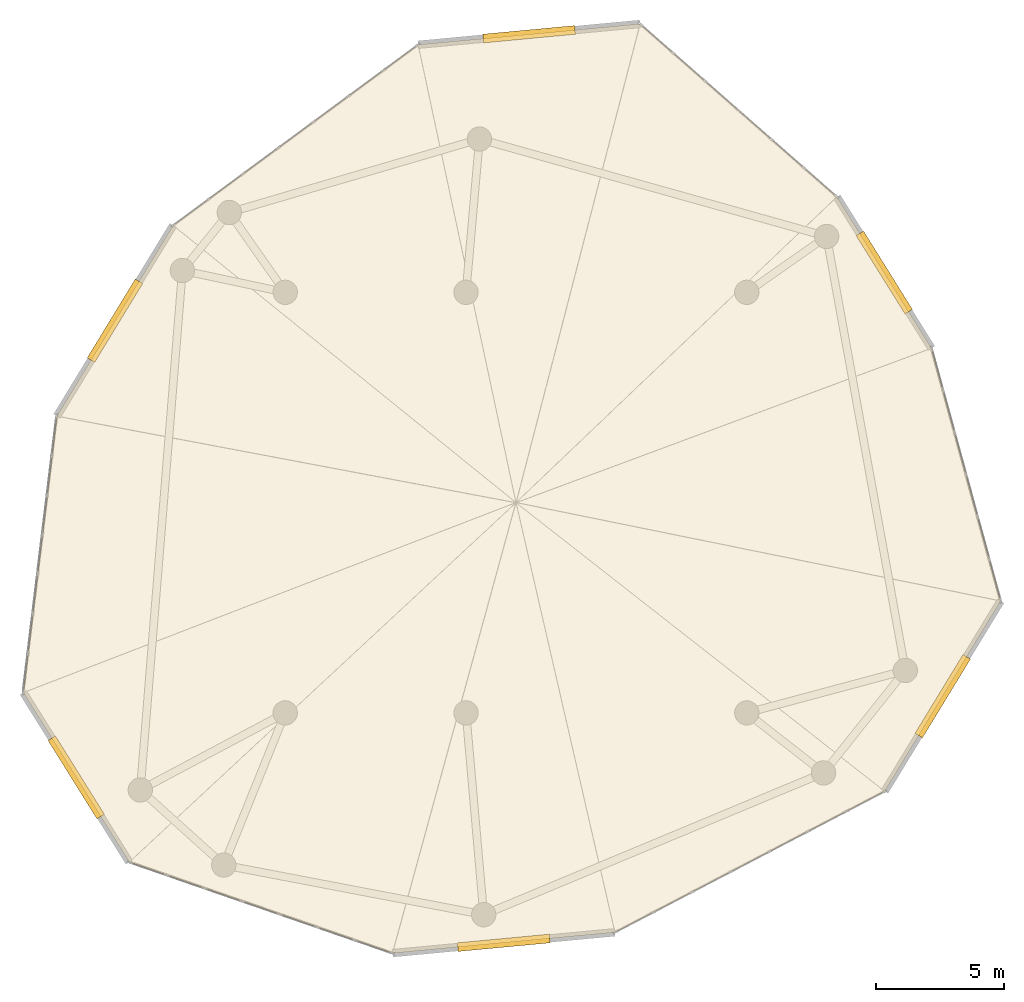
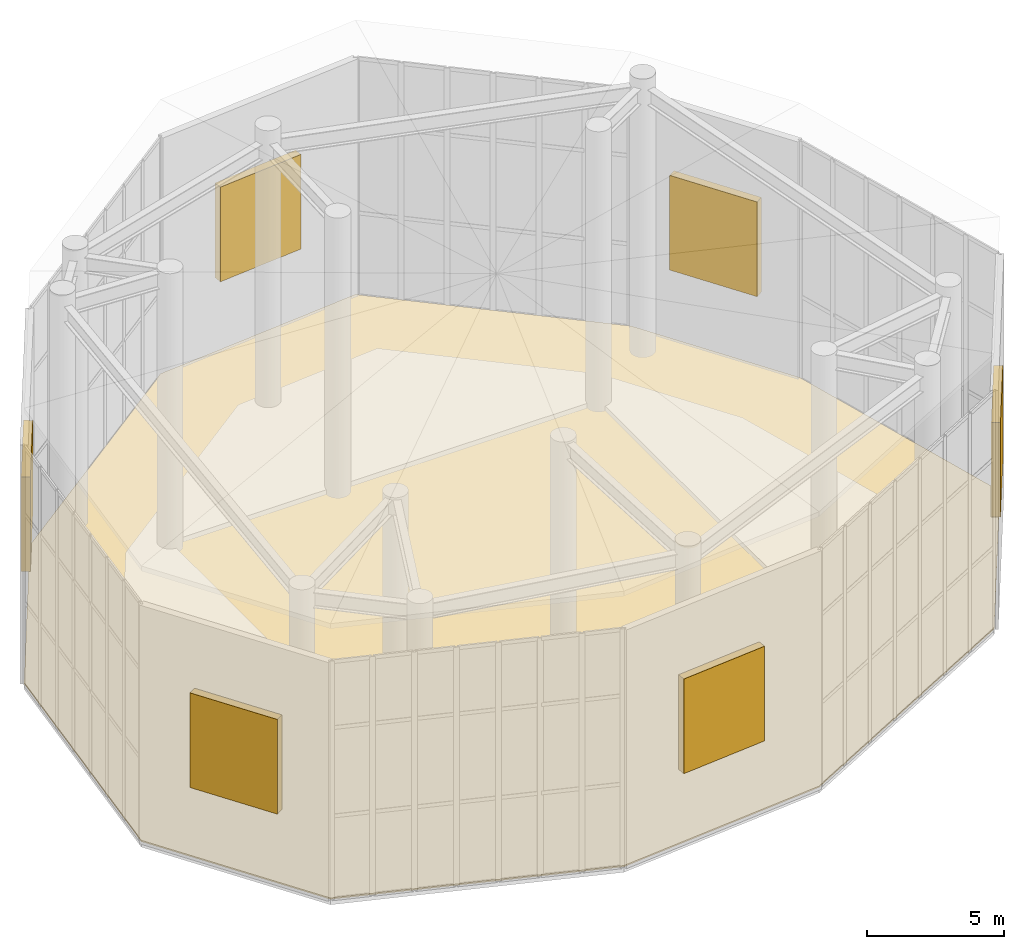
# One storey, part 8 of 8: 6 shading devices, 1 covering.
"""IFC4 building model written with IfcOpenShell, lengths in metres."""

from ifc_helpers import new_model, si_unit, direction, frame, origin, origin_with_axes, origin_2d, place, context, subcontext, project, spatial, polyline, rectangle, outline, extrude, source, transform, mapped, material, layer, layer_set, type_object, element, save


model = new_model("IFC4")

# Units and contexts
model_context = context("Model", 3, precision=1e-05, world=origin(), true_north=direction((0.0, 1.0)))
body_context = subcontext(model_context, "Body", "Model", "MODEL_VIEW")
ifc_project = project(units=[si_unit("LENGTHUNIT", "METRE"), si_unit("AREAUNIT", "SQUARE_METRE"), si_unit("VOLUMEUNIT", "CUBIC_METRE"), si_unit("PLANEANGLEUNIT", "RADIAN"), si_unit("MASSUNIT", "GRAM", prefix="KILO")], contexts=[model_context])

# Site, building, storey
site_placement = place(None, origin())
site = spatial("IfcSite", under=ifc_project, at=site_placement, CompositionType="ELEMENT")
building_placement = place(site_placement, origin())
building = spatial("IfcBuilding", under=site, at=building_placement, Name="Karkom Vertical University and Central Library", CompositionType="ELEMENT")
storey_placement = place(building_placement, frame((0.0, 0.0, 290.0)))
storey = spatial("IfcBuildingStorey", under=building, at=storey_placement, Name="R82", CompositionType="ELEMENT", Elevation=290.0)

# Covering
ifc_material_1 = material(Name="EPDM membrane with Kota stone ballast roofing", Category="masonry")
ifc_layer_1 = layer(ifc_material_1, 0.080078125)
ifc_layer_set_1 = layer_set([ifc_layer_1], Name="EPDM membrane with Kota stone ballast roofing")
covering_type = type_object("IfcCoveringType", Name="ENV-COV-ROOF", PredefinedType="ROOFING", material=ifc_layer_set_1)
covering_placement = place(storey_placement, origin())
element("IfcCovering", 1, at=covering_placement, inside=storey, type_object=covering_type, Name="Roof Level 82 Crown Ring Collar Waterproofing Covering", PredefinedType="ROOFING", context=body_context, shape_type="SweptSolid", body=[
    extrude(outline(polyline([(9.28466796875, 19.087158203125), (13.413818359375, 12.47900390625), (23.686279296875, 8.926513671875), (32.35498046875, 9.739501953125), (42.880126953125, 15.24169921875), (47.401123046875, 22.660888671875), (44.7041015625, 32.5234375), (41.017333984375, 38.423583984375), (33.335205078125, 45.171142578125), (24.684814453125, 44.360107421875), (15.12548828125, 37.312255859375), (10.594970703125, 29.876953125), (9.28466796875, 19.087158203125)])), origin(), (0.0, 0.0, 1.0), 0.06005859375),
])

# Shading devices
ifc_material_2 = material(Name="Powder-coated aluminium acoustic weather louvre", Category="aluminium")
ifc_layer_2 = layer(ifc_material_2, 0.159912109375)
ifc_layer_set_2 = layer_set([ifc_layer_2], Name="Powder-coated aluminium acoustic weather louvre")
shading_device_type = type_object("IfcShadingDeviceType", Name="ENV-SHD-LOUVRE", PredefinedType="JALOUSIE", material=ifc_layer_set_2)
shared_shape = source(origin_with_axes(), body_context, "Body", "SweptSolid", [
    extrude(rectangle(XDim=3.60009765625, YDim=0.340087890625, at=origin_2d()), origin(), (0.0, 0.0, 1.0), 4.199951171875),
])
for number, where, z_axis, x_axis, name in (
    (2, (11.34912109375, 15.782958984375, 3.2001953125), (0.0, 0.0, 1.0), (0.529919264233, -0.848048096156, 0.0), "Roof Level 82 Crown Acoustic Louvre Screen 01"),
    (3, (28.0205078125, 9.3330078125, 3.2001953125), (0.0, 0.0, 1.0), (0.995627421982, 0.093413257074, 0.0), "Roof Level 82 Crown Acoustic Louvre Screen 03"),
    (4, (45.140625, 18.951416015625, 3.2001953125), (0.0, 0.0, 1.0), (0.520413614052, 0.853914322581, 0.0), "Roof Level 82 Crown Acoustic Louvre Screen 05"),
    (5, (42.860595703125, 35.473388671875, 3.2001953125), (0.0, 0.0, 1.0), (-0.529919264233, 0.848048096156, 0.0), "Roof Level 82 Crown Acoustic Louvre Screen 07"),
    (6, (29.010009765625, 44.765625, 3.2001953125), (0.0, 0.0, 1.0), (-0.995627421982, -0.093413257074, 0.0), "Roof Level 82 Crown Acoustic Louvre Screen 09"),
    (7, (12.8603515625, 33.5947265625, 3.2001953125), (0.0, 0.0, 1.0), (-0.520413614052, -0.853914322581, 0.0), "Roof Level 82 Crown Acoustic Louvre Screen 11"),
):
    element("IfcShadingDevice", number, at=place(storey_placement, frame(where, z_axis=z_axis, x_axis=x_axis)), inside=storey, type_object=shading_device_type, Name=name, PredefinedType="JALOUSIE", context=body_context, shape_type="MappedRepresentation", body=[
        mapped(shared_shape, transform((0.0, 0.0, 0.0), scale=1.0)),
    ])

save(model, "model.ifc")
